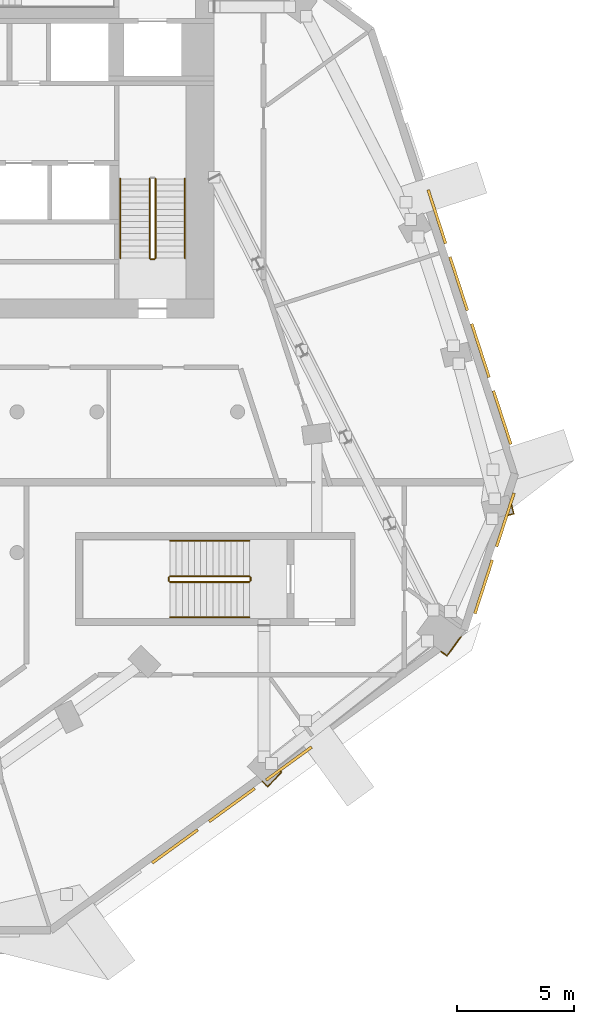
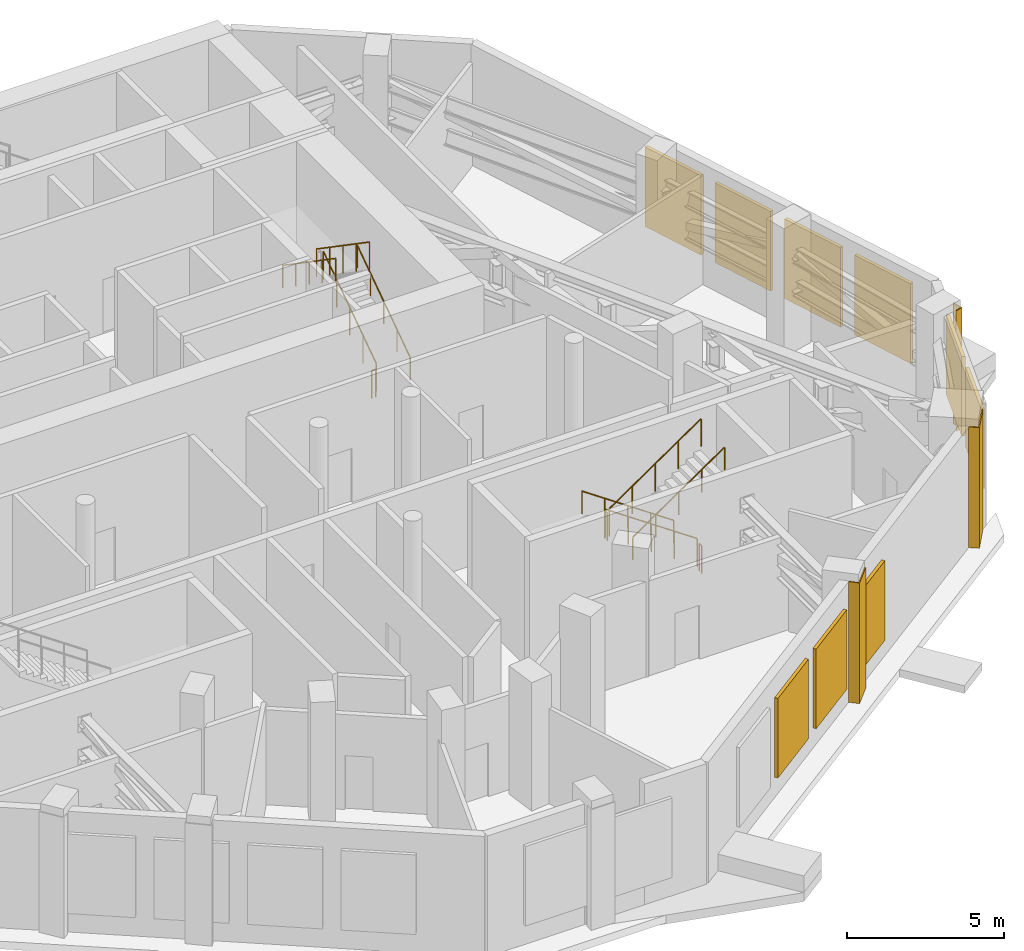
# One storey, part 14 of 16: 11 railings, 9 shading devices, 3 coverings.
"""IFC4 building model written with IfcOpenShell, lengths in metres."""

from ifc_helpers import new_model, si_unit, direction, frame, origin, origin_2d, place, context, subcontext, project, spatial, polyline, rectangle, circle, outline, extrude, material, layer, layer_set, type_object, element, save


model = new_model("IFC4")

# Units and contexts
model_context = context("Model", 3, precision=1e-05, world=origin(), true_north=direction((0.0, 1.0)))
body_context = subcontext(model_context, "Body", "Model", "MODEL_VIEW")
ifc_project = project(units=[si_unit("LENGTHUNIT", "METRE"), si_unit("AREAUNIT", "SQUARE_METRE"), si_unit("VOLUMEUNIT", "CUBIC_METRE"), si_unit("PLANEANGLEUNIT", "RADIAN"), si_unit("MASSUNIT", "GRAM", prefix="KILO")], contexts=[model_context])

# Site, building, storey
site_placement = place(None, origin())
site = spatial("IfcSite", under=ifc_project, at=site_placement, CompositionType="ELEMENT")
building_placement = place(site_placement, origin())
building = spatial("IfcBuilding", under=site, at=building_placement, Name="White Candle Pilgrim Tower", CompositionType="ELEMENT")
storey_placement = place(building_placement, frame((0.0, 0.0, 243.300048828125)))
storey = spatial("IfcBuildingStorey", under=building, at=storey_placement, Name="L57", CompositionType="ELEMENT", Elevation=243.300048828125)

# Shading devices
ifc_material_1 = material(Name="Aluminium", Category="aluminium")
shading_device_type = type_object("IfcShadingDeviceType", Name="Plant louvre LV2 2400x3100 aluminium framed", PredefinedType="USERDEFINED", material=ifc_material_1)
for number, where, z_axis, x_axis, name in (
    (1, (79.32958984375, 48.485595703125, 0.7998046875), (0.0, 0.0, 1.0), (0.809017003156, 0.587785240206, 0.0), "Plant louvre L57 SE 2"),
    (2, (81.756591796875, 50.2490234375, 0.7998046875), (0.0, 0.0, 1.0), (0.809017003156, 0.587785240206, 0.0), "Plant louvre L57 SE 3"),
    (3, (84.18359375, 52.012451171875, 0.7998046875), (0.0, 0.0, 1.0), (0.809017003156, 0.587785240206, 0.0), "Plant louvre L57 SE 4"),
    (4, (92.479736328125, 59.545166015625, 0.7998046875), (0.0, 0.0, 1.0), (0.309016949491, 0.951056530879, 0.0), "Plant louvre L57 E chamfer 1"),
    (5, (93.40673828125, 62.3984375, 0.7998046875), (0.0, 0.0, 1.0), (0.309016949491, 0.951056530879, 0.0), "Plant louvre L57 E chamfer 2"),
    (6, (93.271728515625, 66.7548828125, 0.7998046875), (0.0, 0.0, 1.0), (-0.309016977212, 0.951056521872, 0.0), "Plant louvre L57 ENE 1"),
    (7, (92.3447265625, 69.60791015625, 0.7998046875), (0.0, 0.0, 1.0), (-0.309016977212, 0.951056521872, 0.0), "Plant louvre L57 ENE 2"),
    (8, (91.417724609375, 72.461181640625, 0.7998046875), (0.0, 0.0, 1.0), (-0.309016977212, 0.951056521872, 0.0), "Plant louvre L57 ENE 3"),
    (9, (90.49072265625, 75.314453125, 0.7998046875), (0.0, 0.0, 1.0), (-0.309016977212, 0.951056521872, 0.0), "Plant louvre L57 ENE 4"),
):
    element("IfcShadingDevice", number, at=place(storey_placement, frame(where, z_axis=z_axis, x_axis=x_axis)), inside=storey, type_object=shading_device_type, Name=name, ObjectType="LOUVRE", PredefinedType="USERDEFINED", context=body_context, shape_type="SweptSolid", body=[
        extrude(rectangle(XDim=2.39990234375, YDim=0.1201171875, at=origin_2d()), origin(), (0.0, 0.0, 1.0), 3.10009765625),
    ])

# Coverings
ifc_material_2 = material(Name="Precast concrete C40/50", Category="concrete")
ifc_layer = layer(ifc_material_2, 0.0400390625)
ifc_layer_set = layer_set([ifc_layer], Name="Precast column cover CL4 40")
covering_type = type_object("IfcCoveringType", Name="Precast column cover CL4 40", PredefinedType="CLADDING", material=ifc_layer_set)
covering_1_placement = place(storey_placement, origin())
element("IfcCovering", 10, at=covering_1_placement, inside=storey, type_object=covering_type, Name="Column cover L57 T05", PredefinedType="CLADDING", context=body_context, shape_type="SweptSolid", body=[
    extrude(outline(polyline([(83.841064453125, 51.689208984375), (83.88818359375, 51.645263671875), (83.2880859375, 51.001708984375), (83.0263671875, 51.24560546875), (83.059326171875, 51.269775390625), (83.285888671875, 51.058349609375), (83.83154296875, 51.643310546875), (83.80810546875, 51.665283203125), (83.841064453125, 51.689208984375)])), origin(), (0.0, 0.0, 1.0), 4.699951171875),
])
covering_2_placement = place(storey_placement, origin())
element("IfcCovering", 11, at=covering_2_placement, inside=storey, type_object=covering_type, Name="Column cover L57 T06", PredefinedType="CLADDING", context=body_context, shape_type="SweptSolid", body=[
    extrude(outline(polyline([(90.6787109375, 56.8056640625), (90.9169921875, 56.632568359375), (91.449462890625, 57.365478515625), (91.55419921875, 57.441650390625), (90.92578125, 56.57666015625), (90.644775390625, 56.781005859375), (90.6787109375, 56.8056640625)])), origin(), (0.0, 0.0, 1.0), 4.699951171875),
])
covering_3_placement = place(storey_placement, origin())
element("IfcCovering", 12, at=covering_3_placement, inside=storey, type_object=covering_type, Name="Column cover L57 T07", PredefinedType="CLADDING", context=body_context, shape_type="SweptSolid", body=[
    extrude(outline(polyline([(93.5419921875, 62.6201171875), (93.740234375, 62.67041015625), (93.660400390625, 62.984130859375), (93.683349609375, 63.055419921875), (93.788818359375, 62.6416015625), (93.52734375, 62.574951171875), (93.5419921875, 62.6201171875)])), origin(), (0.0, 0.0, 1.0), 4.699951171875),
])

# Railings
ifc_material_3 = material(Name="Stainless steel", Category="steel")
railing_type_1 = type_object("IfcRailingType", Name="Stair guard stainless steel 1100 mm", PredefinedType="GUARDRAIL", material=ifc_material_3)
railing_1_placement = place(storey_placement, frame((78.5, 73.550048828125, 0.178466796875)))
element("IfcRailing", 13, at=railing_1_placement, inside=storey, type_object=railing_type_1, Name="L57 ST2 stair guard 1", PredefinedType="GUARDRAIL", context=body_context, shape_type="SweptSolid", body=[
    extrude(circle(Radius=0.02392578125, at=origin_2d()), frame((0.0, 0.0, 1.076171875), z_axis=(0.0, 0.824285065979, 0.566174999451), x_axis=(-1.0, 0.0, 0.0)), (0.0, 0.0, 1.0), 4.100341796875),
    extrude(circle(Radius=0.02099609375, at=origin_2d()), origin(), (0.0, 0.0, 1.0), 1.052001953125),
    extrude(circle(Radius=0.02099609375, at=origin_2d()), frame((0.0, 0.844970703125, 0.580322265625)), (0.0, 0.0, 1.0), 1.052001953125),
    extrude(circle(Radius=0.02099609375, at=origin_2d()), frame((0.0, 1.68994140625, 1.16064453125)), (0.0, 0.0, 1.0), 1.052001953125),
    extrude(circle(Radius=0.02099609375, at=origin_2d()), frame((0.0, 2.534912109375, 1.7412109375)), (0.0, 0.0, 1.0), 1.052001953125),
    extrude(circle(Radius=0.02099609375, at=origin_2d()), frame((0.0, 3.3798828125, 2.321533203125)), (0.0, 0.0, 1.0), 1.052001953125),
])
railing_2_placement = place(storey_placement, frame((78.25, 76.929931640625, 2.678466796875)))
element("IfcRailing", 14, at=railing_2_placement, inside=storey, type_object=railing_type_1, Name="L57 ST2 stair guard 3", PredefinedType="GUARDRAIL", context=body_context, shape_type="SweptSolid", body=[
    extrude(circle(Radius=0.02392578125, at=origin_2d()), frame((0.0, 0.0, 1.076171875), z_axis=(0.0, -0.824285065979, 0.566174999451), x_axis=(1.0, 0.0, 0.0)), (0.0, 0.0, 1.0), 4.100341796875),
    extrude(circle(Radius=0.02099609375, at=origin_2d()), origin(), (0.0, 0.0, 1.0), 1.052001953125),
    extrude(circle(Radius=0.02099609375, at=origin_2d()), frame((0.0, -0.844970703125, 0.580322265625)), (0.0, 0.0, 1.0), 1.052001953125),
    extrude(circle(Radius=0.02099609375, at=origin_2d()), frame((0.0, -1.68994140625, 1.16064453125)), (0.0, 0.0, 1.0), 1.052001953125),
    extrude(circle(Radius=0.02099609375, at=origin_2d()), frame((0.0, -2.534912109375, 1.7412109375)), (0.0, 0.0, 1.0), 1.052001953125),
    extrude(circle(Radius=0.02099609375, at=origin_2d()), frame((0.0, -3.3798828125, 2.321533203125)), (0.0, 0.0, 1.0), 1.052001953125),
])
railing_3_placement = place(storey_placement, frame((78.449951171875, 73.5, 0.0)))
element("IfcRailing", 15, at=railing_3_placement, inside=storey, type_object=railing_type_1, Name="L57 ST2 stair guard 4", PredefinedType="GUARDRAIL", context=body_context, shape_type="SweptSolid", body=[
    extrude(circle(Radius=0.02392578125, at=origin_2d()), frame((0.0, 0.0, 1.076171875), z_axis=(-1.0, 0.0, 0.0), x_axis=(0.0, -1.0, 0.0)), (0.0, 0.0, 1.0), 0.14990234375),
    extrude(circle(Radius=0.02099609375, at=origin_2d()), origin(), (0.0, 0.0, 1.0), 1.052001953125),
    extrude(circle(Radius=0.02099609375, at=origin_2d()), frame((-0.14990234375, 0.0, 0.0)), (0.0, 0.0, 1.0), 1.052001953125),
])
railing_4_placement = place(storey_placement, frame((82.5, 60.0, 0.178466796875)))
element("IfcRailing", 16, at=railing_4_placement, inside=storey, type_object=railing_type_1, Name="L57 ST4 stair guard 1", PredefinedType="GUARDRAIL", context=body_context, shape_type="SweptSolid", body=[
    extrude(circle(Radius=0.02392578125, at=origin_2d()), frame((0.0, 0.0, 1.076171875), z_axis=(-0.824285065979, 0.0, 0.566174999451), x_axis=(0.0, -1.0, 0.0)), (0.0, 0.0, 1.0), 4.100341796875),
    extrude(circle(Radius=0.02099609375, at=origin_2d()), origin(), (0.0, 0.0, 1.0), 1.052001953125),
    extrude(circle(Radius=0.02099609375, at=origin_2d()), frame((-0.844970703125, 0.0, 0.580322265625)), (0.0, 0.0, 1.0), 1.052001953125),
    extrude(circle(Radius=0.02099609375, at=origin_2d()), frame((-1.68994140625, 0.0, 1.16064453125)), (0.0, 0.0, 1.0), 1.052001953125),
    extrude(circle(Radius=0.02099609375, at=origin_2d()), frame((-2.534912109375, 0.0, 1.7412109375)), (0.0, 0.0, 1.0), 1.052001953125),
    extrude(circle(Radius=0.02099609375, at=origin_2d()), frame((-3.3798828125, 0.0, 2.321533203125)), (0.0, 0.0, 1.0), 1.052001953125),
])
railing_5_placement = place(storey_placement, frame((79.070068359375, 59.949951171875, 2.5)))
element("IfcRailing", 17, at=railing_5_placement, inside=storey, type_object=railing_type_1, Name="L57 ST4 stair guard 2", PredefinedType="GUARDRAIL", context=body_context, shape_type="SweptSolid", body=[
    extrude(circle(Radius=0.02392578125, at=origin_2d()), frame((0.0, 0.0, 1.076171875), z_axis=(0.0, -1.0, 0.0), x_axis=(1.0, 0.0, 0.0)), (0.0, 0.0, 1.0), 0.14990234375),
    extrude(circle(Radius=0.02099609375, at=origin_2d()), origin(), (0.0, 0.0, 1.0), 1.052001953125),
    extrude(circle(Radius=0.02099609375, at=origin_2d()), frame((0.0, -0.14990234375, 0.0)), (0.0, 0.0, 1.0), 1.052001953125),
])
railing_6_placement = place(storey_placement, frame((79.1201171875, 59.75, 2.678466796875)))
element("IfcRailing", 18, at=railing_6_placement, inside=storey, type_object=railing_type_1, Name="L57 ST4 stair guard 3", PredefinedType="GUARDRAIL", context=body_context, shape_type="SweptSolid", body=[
    extrude(circle(Radius=0.02392578125, at=origin_2d()), frame((0.0, 0.0, 1.076171875), z_axis=(0.824285065979, 0.0, 0.566174999451), x_axis=(0.0, 1.0, 0.0)), (0.0, 0.0, 1.0), 4.100341796875),
    extrude(circle(Radius=0.02099609375, at=origin_2d()), origin(), (0.0, 0.0, 1.0), 1.052001953125),
    extrude(circle(Radius=0.02099609375, at=origin_2d()), frame((0.844970703125, 0.0, 0.580322265625)), (0.0, 0.0, 1.0), 1.052001953125),
    extrude(circle(Radius=0.02099609375, at=origin_2d()), frame((1.68994140625, 0.0, 1.16064453125)), (0.0, 0.0, 1.0), 1.052001953125),
    extrude(circle(Radius=0.02099609375, at=origin_2d()), frame((2.534912109375, 0.0, 1.7412109375)), (0.0, 0.0, 1.0), 1.052001953125),
    extrude(circle(Radius=0.02099609375, at=origin_2d()), frame((3.3798828125, 0.0, 2.321533203125)), (0.0, 0.0, 1.0), 1.052001953125),
])
railing_7_placement = place(storey_placement, frame((82.550048828125, 59.949951171875, 0.0)))
element("IfcRailing", 19, at=railing_7_placement, inside=storey, type_object=railing_type_1, Name="L57 ST4 stair guard 4", PredefinedType="GUARDRAIL", context=body_context, shape_type="SweptSolid", body=[
    extrude(circle(Radius=0.02392578125, at=origin_2d()), frame((0.0, 0.0, 1.076171875), z_axis=(0.0, -1.0, 0.0), x_axis=(1.0, 0.0, 0.0)), (0.0, 0.0, 1.0), 0.14990234375),
    extrude(circle(Radius=0.02099609375, at=origin_2d()), origin(), (0.0, 0.0, 1.0), 1.052001953125),
    extrude(circle(Radius=0.02099609375, at=origin_2d()), frame((0.0, -0.14990234375, 0.0)), (0.0, 0.0, 1.0), 1.052001953125),
])
railing_type_2 = type_object("IfcRailingType", Name="Stair handrail stainless steel", PredefinedType="HANDRAIL", material=ifc_material_3)
railing_8_placement = place(storey_placement, frame((79.75, 73.550048828125, 0.178466796875)))
element("IfcRailing", 20, at=railing_8_placement, inside=storey, type_object=railing_type_2, Name="L57 ST2 stair handrail 1", PredefinedType="HANDRAIL", context=body_context, shape_type="SweptSolid", body=[
    extrude(circle(Radius=0.02392578125, at=origin_2d()), frame((0.0, 0.0, 0.8759765625), z_axis=(0.0, 0.824285065979, 0.566174999451), x_axis=(-1.0, 0.0, 0.0)), (0.0, 0.0, 1.0), 4.100341796875),
    extrude(circle(Radius=0.02099609375, at=origin_2d()), origin(), (0.0, 0.0, 1.0), 0.851806640625),
    extrude(circle(Radius=0.02099609375, at=origin_2d()), frame((0.0, 0.844970703125, 0.580322265625)), (0.0, 0.0, 1.0), 0.851806640625),
    extrude(circle(Radius=0.02099609375, at=origin_2d()), frame((0.0, 1.68994140625, 1.16064453125)), (0.0, 0.0, 1.0), 0.851806640625),
    extrude(circle(Radius=0.02099609375, at=origin_2d()), frame((0.0, 2.534912109375, 1.7412109375)), (0.0, 0.0, 1.0), 0.851806640625),
    extrude(circle(Radius=0.02099609375, at=origin_2d()), frame((0.0, 3.3798828125, 2.321533203125)), (0.0, 0.0, 1.0), 0.851806640625),
])
railing_9_placement = place(storey_placement, frame((77.0, 76.929931640625, 2.678466796875)))
element("IfcRailing", 21, at=railing_9_placement, inside=storey, type_object=railing_type_2, Name="L57 ST2 stair handrail 2", PredefinedType="HANDRAIL", context=body_context, shape_type="SweptSolid", body=[
    extrude(circle(Radius=0.02392578125, at=origin_2d()), frame((0.0, 0.0, 0.8759765625), z_axis=(0.0, -0.824285065979, 0.566174999451), x_axis=(1.0, 0.0, 0.0)), (0.0, 0.0, 1.0), 4.100341796875),
    extrude(circle(Radius=0.02099609375, at=origin_2d()), origin(), (0.0, 0.0, 1.0), 0.851806640625),
    extrude(circle(Radius=0.02099609375, at=origin_2d()), frame((0.0, -0.844970703125, 0.580322265625)), (0.0, 0.0, 1.0), 0.851806640625),
    extrude(circle(Radius=0.02099609375, at=origin_2d()), frame((0.0, -1.68994140625, 1.16064453125)), (0.0, 0.0, 1.0), 0.851806640625),
    extrude(circle(Radius=0.02099609375, at=origin_2d()), frame((0.0, -2.534912109375, 1.7412109375)), (0.0, 0.0, 1.0), 0.851806640625),
    extrude(circle(Radius=0.02099609375, at=origin_2d()), frame((0.0, -3.3798828125, 2.321533203125)), (0.0, 0.0, 1.0), 0.851806640625),
])
railing_10_placement = place(storey_placement, frame((82.5, 61.5, 0.178466796875)))
element("IfcRailing", 22, at=railing_10_placement, inside=storey, type_object=railing_type_2, Name="L57 ST4 stair handrail 1", PredefinedType="HANDRAIL", context=body_context, shape_type="SweptSolid", body=[
    extrude(circle(Radius=0.02392578125, at=origin_2d()), frame((0.0, 0.0, 0.8759765625), z_axis=(-0.824285065979, 0.0, 0.566174999451), x_axis=(0.0, -1.0, 0.0)), (0.0, 0.0, 1.0), 4.100341796875),
    extrude(circle(Radius=0.02099609375, at=origin_2d()), origin(), (0.0, 0.0, 1.0), 0.851806640625),
    extrude(circle(Radius=0.02099609375, at=origin_2d()), frame((-0.844970703125, 0.0, 0.580322265625)), (0.0, 0.0, 1.0), 0.851806640625),
    extrude(circle(Radius=0.02099609375, at=origin_2d()), frame((-1.68994140625, 0.0, 1.16064453125)), (0.0, 0.0, 1.0), 0.851806640625),
    extrude(circle(Radius=0.02099609375, at=origin_2d()), frame((-2.534912109375, 0.0, 1.7412109375)), (0.0, 0.0, 1.0), 0.851806640625),
    extrude(circle(Radius=0.02099609375, at=origin_2d()), frame((-3.3798828125, 0.0, 2.321533203125)), (0.0, 0.0, 1.0), 0.851806640625),
])
railing_11_placement = place(storey_placement, frame((79.1201171875, 58.25, 2.678466796875)))
element("IfcRailing", 23, at=railing_11_placement, inside=storey, type_object=railing_type_2, Name="L57 ST4 stair handrail 2", PredefinedType="HANDRAIL", context=body_context, shape_type="SweptSolid", body=[
    extrude(circle(Radius=0.02392578125, at=origin_2d()), frame((0.0, 0.0, 0.8759765625), z_axis=(0.824285065979, 0.0, 0.566174999451), x_axis=(0.0, 1.0, 0.0)), (0.0, 0.0, 1.0), 4.100341796875),
    extrude(circle(Radius=0.02099609375, at=origin_2d()), origin(), (0.0, 0.0, 1.0), 0.851806640625),
    extrude(circle(Radius=0.02099609375, at=origin_2d()), frame((0.844970703125, 0.0, 0.580322265625)), (0.0, 0.0, 1.0), 0.851806640625),
    extrude(circle(Radius=0.02099609375, at=origin_2d()), frame((1.68994140625, 0.0, 1.16064453125)), (0.0, 0.0, 1.0), 0.851806640625),
    extrude(circle(Radius=0.02099609375, at=origin_2d()), frame((2.534912109375, 0.0, 1.7412109375)), (0.0, 0.0, 1.0), 0.851806640625),
    extrude(circle(Radius=0.02099609375, at=origin_2d()), frame((3.3798828125, 0.0, 2.321533203125)), (0.0, 0.0, 1.0), 0.851806640625),
])

save(model, "model.ifc")
